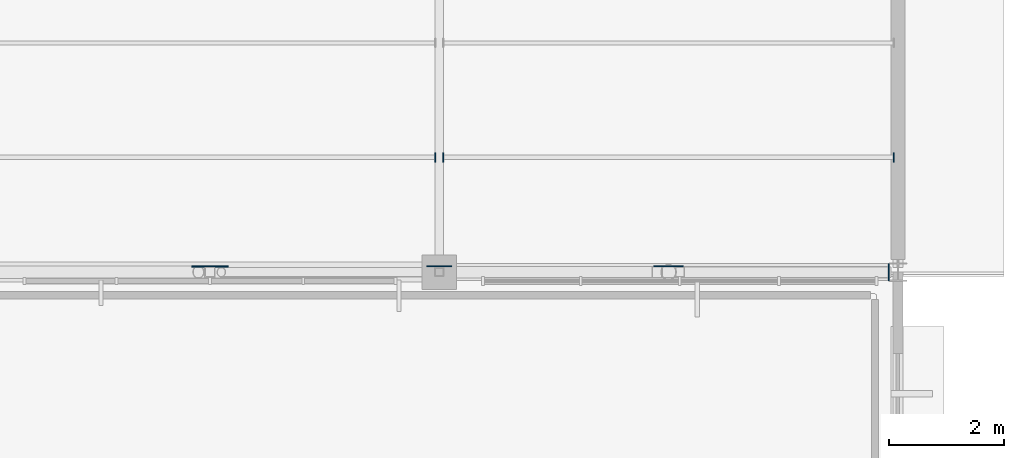
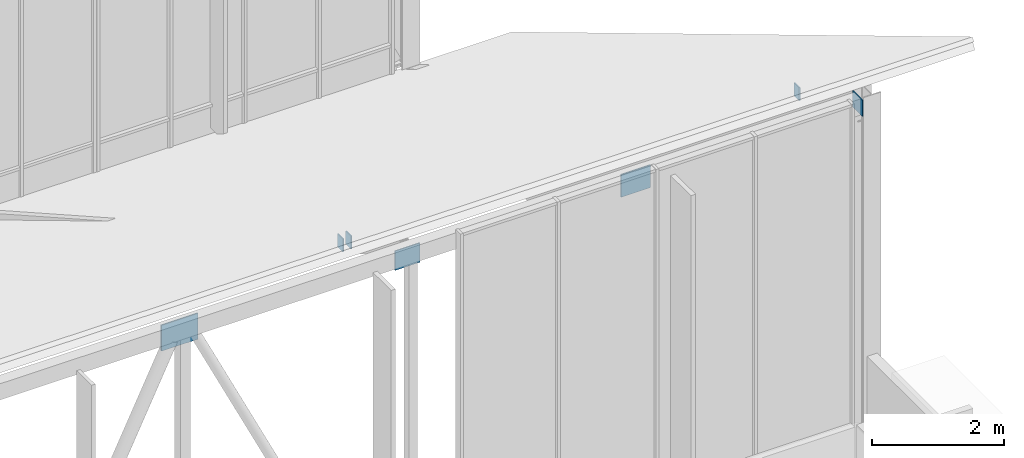
# One storey, part 85 of 155: 7 plates.
"""IFC4 building model written with IfcOpenShell, lengths in metres."""

from ifc_helpers import new_model, si_unit, direction, frame, origin, origin_2d, place, context, subcontext, project, spatial, rectangle, extrude, material, layer, layer_set, type_object, element, save


model = new_model("IFC4")

# Units and contexts
model_context = context("Model", 3, precision=1e-05, world=origin(), true_north=direction((0.0, 1.0)))
body_context = subcontext(model_context, "Body", "Model", "MODEL_VIEW")
ifc_project = project(units=[si_unit("LENGTHUNIT", "METRE"), si_unit("AREAUNIT", "SQUARE_METRE"), si_unit("VOLUMEUNIT", "CUBIC_METRE"), si_unit("PLANEANGLEUNIT", "RADIAN"), si_unit("MASSUNIT", "GRAM", prefix="KILO")], contexts=[model_context])

# Site, building, storey
site_placement = place(None, origin())
site = spatial("IfcSite", under=ifc_project, at=site_placement, CompositionType="ELEMENT")
building_placement = place(site_placement, origin())
building = spatial("IfcBuilding", under=site, at=building_placement, Name="Larkveld Mobility Hub", CompositionType="ELEMENT")
storey_placement = place(building_placement, frame((0.0, 0.0, 8.39990234375)))
storey = spatial("IfcBuildingStorey", under=building, at=storey_placement, Name="L02", CompositionType="ELEMENT", Elevation=8.39990234375)

# Plates
ifc_material = material(Name="Steel S355JR", Category="steel")
ifc_layer_1 = layer(ifc_material, 0.02001953125, Name="Steel S355JR", Category="steel")
ifc_layer_set_1 = layer_set([ifc_layer_1], Name="Steel S355JR")
plate_type_1 = type_object("IfcPlateType", Name="PT-EC01", PredefinedType="USERDEFINED", material=ifc_layer_set_1)
plate_1_placement = place(storey_placement, frame((183.840087890625, 28.0, 7.80029296875), z_axis=(0.0, 0.0, 1.0), x_axis=(1.0, 0.0, 0.0)))
element("IfcPlate", 1, at=plate_1_placement, inside=storey, type_object=plate_type_1, Name="Hollow Chord End Cap Plate EC-009", ObjectType="GUSSET PLATE", PredefinedType="USERDEFINED", context=body_context, shape_type="SweptSolid", body=[
    extrude(rectangle(XDim=0.02001953125, YDim=0.300048828125, at=origin_2d()), origin(), (0.0, 0.0, 1.0), 0.300048828125),
])
ifc_layer_2 = layer(ifc_material, 0.02001953125, Name="Steel S355JR", Category="steel")
ifc_layer_set_2 = layer_set([ifc_layer_2], Name="Steel S355JR")
plate_type_2 = type_object("IfcPlateType", Name="PT-EC02", PredefinedType="USERDEFINED", material=ifc_layer_set_2)
for number, where, z_axis, x_axis, name in (
    (2, (175.927978515625, 30.0, 6.80712890625), (0.0, 0.0, 1.0), (1.0, 0.0, 0.0), "Hollow Purlin End Cap Plate PEC-069"),
    (3, (176.072021484375, 30.0, 6.80712890625), (0.0, 0.0, 1.0), (1.0, 0.0, 0.0), "Hollow Purlin End Cap Plate PEC-070"),
    (4, (183.927978515625, 30.0, 6.80712890625), (0.0, 0.0, 1.0), (1.0, 0.0, 0.0), "Hollow Purlin End Cap Plate PEC-071"),
):
    element("IfcPlate", number, at=place(storey_placement, frame(where, z_axis=z_axis, x_axis=x_axis)), inside=storey, type_object=plate_type_2, Name=name, ObjectType="GUSSET PLATE", PredefinedType="USERDEFINED", context=body_context, shape_type="SweptSolid", body=[
        extrude(rectangle(XDim=0.02001953125, YDim=0.159912109375, at=origin_2d()), origin(), (0.0, 0.0, 1.0), 0.239990234375),
    ])
ifc_layer_3 = layer(ifc_material, 0.02001953125, Name="Steel S355JR", Category="steel")
ifc_layer_set_3 = layer_set([ifc_layer_3], Name="Steel S355JR")
plate_type_3 = type_object("IfcPlateType", Name="PT-GS01", PredefinedType="USERDEFINED", material=ifc_layer_set_3)
plate_2_placement = place(storey_placement, frame((180.0, 28.10009765625, 7.590087890625), z_axis=(0.0, 0.0, 1.0), x_axis=(1.0, 0.0, 0.0)))
element("IfcPlate", 5, at=plate_2_placement, inside=storey, type_object=plate_type_3, Name="Truss Node Gusset Plate TN-007", ObjectType="GUSSET PLATE", PredefinedType="USERDEFINED", context=body_context, shape_type="SweptSolid", body=[
    extrude(rectangle(XDim=0.52001953125, YDim=0.02001953125, at=origin_2d()), origin(), (0.0, 0.0, 1.0), 0.419921875),
])
ifc_layer_4 = layer(ifc_material, 0.02392578125, Name="Steel S355JR", Category="steel")
ifc_layer_set_4 = layer_set([ifc_layer_4], Name="Steel S355JR")
plate_type_4 = type_object("IfcPlateType", Name="PT-GS02", PredefinedType="USERDEFINED", material=ifc_layer_set_4)
plate_3_placement = place(storey_placement, frame((172.0, 28.10009765625, 7.56005859375), z_axis=(0.0, 0.0, 1.0), x_axis=(1.0, 0.0, 0.0)))
element("IfcPlate", 6, at=plate_3_placement, inside=storey, type_object=plate_type_4, Name="Truss Node Gusset Plate TN-005", ObjectType="GUSSET PLATE", PredefinedType="USERDEFINED", context=body_context, shape_type="SweptSolid", body=[
    extrude(rectangle(XDim=0.639892578125, YDim=0.02392578125, at=origin_2d()), origin(), (0.0, 0.0, 1.0), 0.47998046875),
])
ifc_layer_5 = layer(ifc_material, 0.01806640625, Name="Steel S355JR", Category="steel")
ifc_layer_set_5 = layer_set([ifc_layer_5], Name="Steel S355JR")
plate_type_5 = type_object("IfcPlateType", Name="PT-GS03", PredefinedType="USERDEFINED", material=ifc_layer_set_5)
plate_4_placement = place(storey_placement, frame((176.0, 28.10009765625, 7.6201171875), z_axis=(0.0, 0.0, 1.0), x_axis=(1.0, 0.0, 0.0)))
element("IfcPlate", 7, at=plate_4_placement, inside=storey, type_object=plate_type_5, Name="Truss Node Gusset Plate TN-006", ObjectType="GUSSET PLATE", PredefinedType="USERDEFINED", context=body_context, shape_type="SweptSolid", body=[
    extrude(rectangle(XDim=0.43994140625, YDim=0.01806640625, at=origin_2d()), origin(), (0.0, 0.0, 1.0), 0.360107421875),
])

save(model, "model.ifc")
